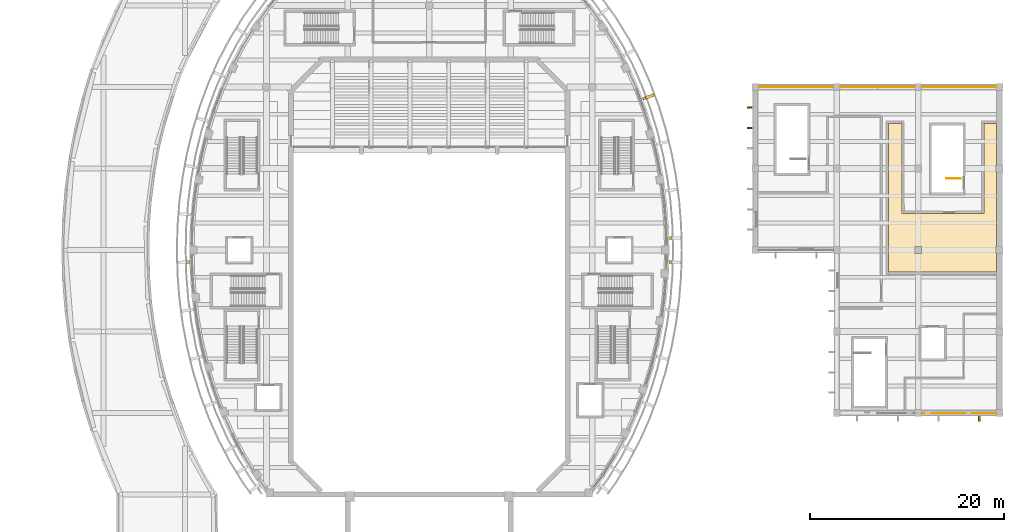
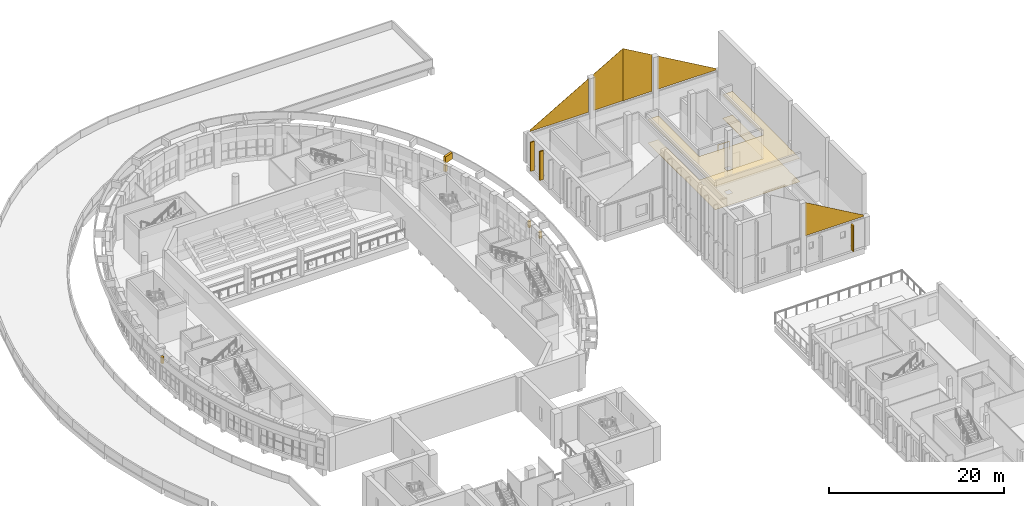
# One storey, part 79 of 79: 15 coverings, 1 railing.
"""IFC4 building model written with IfcOpenShell, lengths in metres."""

from ifc_helpers import new_model, si_unit, direction, frame, origin, origin_2d, place, context, subcontext, project, spatial, polyline, rectangle, circle, outline, extrude, material, layer, layer_set, type_object, element, save


model = new_model("IFC4")

# Units and contexts
model_context = context("Model", 3, precision=1e-05, world=origin(), true_north=direction((0.0, 1.0)))
body_context = subcontext(model_context, "Body", "Model", "MODEL_VIEW")
ifc_project = project(units=[si_unit("LENGTHUNIT", "METRE"), si_unit("AREAUNIT", "SQUARE_METRE"), si_unit("VOLUMEUNIT", "CUBIC_METRE"), si_unit("PLANEANGLEUNIT", "RADIAN"), si_unit("MASSUNIT", "GRAM", prefix="KILO")], contexts=[model_context])

# Site, building, storey
site_placement = place(None, origin())
site = spatial("IfcSite", under=ifc_project, at=site_placement, CompositionType="ELEMENT")
building_placement = place(site_placement, origin())
building = spatial("IfcBuilding", under=site, at=building_placement, Name="Larchfold Concert Hall", CompositionType="ELEMENT")
storey_placement = place(building_placement, frame((0.0, 0.0, 14.39990234375)))
storey = spatial("IfcBuildingStorey", under=building, at=storey_placement, Name="L03", CompositionType="ELEMENT", Elevation=14.39990234375)

# Coverings
ifc_material_1 = material(Name="Plasterboard ceiling lining")
ifc_layer_1 = layer(ifc_material_1, 0.030029296875)
ifc_layer_set_1 = layer_set([ifc_layer_1], Name="Plasterboard ceiling lining")
covering_type_1 = type_object("IfcCoveringType", Name="Ceiling suspended plasterboard 30", PredefinedType="CEILING", material=ifc_layer_set_1)
covering_1_placement = place(storey_placement, frame((0.0, 0.0, 3.270263671875)))
element("IfcCovering", 1, at=covering_1_placement, inside=storey, type_object=covering_type_1, Name="Ceiling Recording Room", PredefinedType="CEILING", context=body_context, shape_type="SweptSolid", body=[
    extrude(outline(polyline([(89.927001953125, 82.199951171875), (89.927001953125, 82.324951171875), (101.099853515625, 82.324951171875), (101.099853515625, 84.25), (101.0498046875, 84.25), (101.0498046875, 84.9501953125), (101.099853515625, 84.9501953125), (101.099853515625, 92.64990234375), (101.0498046875, 92.64990234375), (101.0498046875, 93.35009765625), (101.099853515625, 93.35009765625), (101.099853515625, 97.675048828125), (99.77392578125, 97.675048828125), (99.77392578125, 88.3759765625), (91.316162109375, 88.365966796875), (91.31298828125, 97.800048828125), (91.31298828125, 97.675048828125), (89.925048828125, 97.675048828125), (89.927001953125, 82.199951171875)]), holes=[polyline([(93.35009765625, 84.9501953125), (93.35009765625, 84.25), (92.64990234375, 84.25), (92.64990234375, 84.9501953125), (93.35009765625, 84.9501953125)])]), origin(), (0.0, 0.0, 1.0), 0.030029296875),
])
ifc_material_2 = material(Name="Linoleum sheet")
ifc_layer_2 = layer(ifc_material_2, 0.02001953125)
ifc_layer_set_2 = layer_set([ifc_layer_2], Name="Linoleum sheet")
covering_type_2 = type_object("IfcCoveringType", Name="Floor finish vinyl 20", PredefinedType="FLOORING", material=ifc_layer_set_2)
covering_2_placement = place(storey_placement, origin())
element("IfcCovering", 2, at=covering_2_placement, inside=storey, type_object=covering_type_2, Name="Floor finish Recording Room", PredefinedType="FLOORING", context=body_context, shape_type="SweptSolid", body=[
    extrude(outline(polyline([(89.927001953125, 82.199951171875), (89.927001953125, 82.324951171875), (101.099853515625, 82.324951171875), (101.099853515625, 84.25), (101.0498046875, 84.25), (101.0498046875, 84.9501953125), (101.099853515625, 84.9501953125), (101.099853515625, 92.64990234375), (101.0498046875, 92.64990234375), (101.0498046875, 93.35009765625), (101.099853515625, 93.35009765625), (101.099853515625, 97.675048828125), (99.77392578125, 97.675048828125), (99.77392578125, 88.3759765625), (91.316162109375, 88.365966796875), (91.31298828125, 97.800048828125), (91.31298828125, 97.675048828125), (89.925048828125, 97.675048828125), (89.927001953125, 82.199951171875)]), holes=[polyline([(93.35009765625, 84.9501953125), (93.35009765625, 84.25), (92.64990234375, 84.25), (92.64990234375, 84.9501953125), (93.35009765625, 84.9501953125)])]), origin(), (0.0, 0.0, 1.0), 0.02001953125),
])
ifc_material_3 = material(Name="Charred larch cladding", Category="timber")
ifc_layer_3 = layer(ifc_material_3, 0.030029296875)
ifc_layer_set_3 = layer_set([ifc_layer_3], Name="Charred larch cladding")
covering_type_3 = type_object("IfcCoveringType", Name="Gable closure panel 30", PredefinedType="CLADDING", material=ifc_layer_set_3)
covering_3_placement = place(storey_placement, frame((84.25, 101.429931640625, 4.0146484375), z_axis=(0.0, 1.0, 0.0), x_axis=(-1.0, 0.0, 0.0)))
element("IfcCovering", 3, at=covering_3_placement, inside=storey, type_object=covering_type_3, Name="Gable closure panel RG001", PredefinedType="CLADDING", context=body_context, shape_type="SweptSolid", body=[
    extrude(outline(polyline([(0.0, 0.0), (7.699951171875, 0.0), (7.699951171875, 0.212158203125), (0.0, 4.65771484375), (0.0, 0.0)])), origin(), (0.0, 0.0, -1.0), 0.030029296875),
])
covering_4_placement = place(storey_placement, frame((92.64990234375, 101.429931640625, 4.0146484375), z_axis=(0.0, 1.0, 0.0), x_axis=(-1.0, 0.0, 0.0)))
element("IfcCovering", 4, at=covering_4_placement, inside=storey, type_object=covering_type_3, Name="Gable closure panel RG002", PredefinedType="CLADDING", context=body_context, shape_type="SweptSolid", body=[
    extrude(outline(polyline([(0.0, 0.0), (3.849853515625, 0.0), (3.849853515625, 7.28466796875), (0.0, 5.061767578125), (0.0, 0.0)])), origin(), (0.0, 0.0, -1.0), 0.030029296875),
])
covering_5_placement = place(storey_placement, frame((88.800048828125, 101.429931640625, 4.0146484375), z_axis=(0.0, 1.0, 0.0), x_axis=(-1.0, 0.0, 0.0)))
element("IfcCovering", 5, at=covering_5_placement, inside=storey, type_object=covering_type_3, Name="Gable closure panel RG003", PredefinedType="CLADDING", context=body_context, shape_type="SweptSolid", body=[
    extrude(outline(polyline([(0.0, 0.0), (3.849853515625, 0.0), (3.849853515625, 5.06201171875), (0.0, 7.28466796875), (0.0, 0.0)])), origin(), (0.0, 0.0, -1.0), 0.030029296875),
])
covering_6_placement = place(storey_placement, frame((101.0498046875, 101.429931640625, 4.0146484375), z_axis=(0.0, 1.0, 0.0), x_axis=(-1.0, 0.0, 0.0)))
element("IfcCovering", 6, at=covering_6_placement, inside=storey, type_object=covering_type_3, Name="Gable closure panel RG004", PredefinedType="CLADDING", context=body_context, shape_type="SweptSolid", body=[
    extrude(outline(polyline([(0.0, 0.0), (7.69970703125, 0.0), (7.69970703125, 4.657470703125), (0.0, 0.212158203125), (0.0, 0.0)])), origin(), (0.0, 0.0, -1.0), 0.030029296875),
])
covering_7_placement = place(storey_placement, frame((93.35009765625, 67.77001953125, 4.0146484375), z_axis=(0.0, -1.0, 0.0), x_axis=(1.0, 0.0, 0.0)))
element("IfcCovering", 7, at=covering_7_placement, inside=storey, type_object=covering_type_3, Name="Gable closure panel RG009", PredefinedType="CLADDING", context=body_context, shape_type="SweptSolid", body=[
    extrude(outline(polyline([(0.0, 0.0), (7.69970703125, 0.0), (7.69970703125, 0.212158203125), (0.0, 4.657470703125), (0.0, 0.0)])), origin(), (0.0, 0.0, -1.0), 0.030029296875),
])
ifc_material_4 = material(Name="Glulam GL30c", Category="wood")
ifc_layer_4 = layer(ifc_material_4, 0.159912109375)
ifc_layer_set_4 = layer_set([ifc_layer_4], Name="Glulam GL30c")
covering_type_4 = type_object("IfcCoveringType", Name="Glulam fin 160x500", PredefinedType="CLADDING", material=ifc_layer_set_4)
covering_8_placement = place(storey_placement, frame((0.0, 0.0, 0.199951171875)))
element("IfcCovering", 8, at=covering_8_placement, inside=storey, type_object=covering_type_4, Name="Glulam fin FN-L03-027", PredefinedType="CLADDING", context=body_context, shape_type="SweptSolid", body=[
    extrude(outline(polyline([(75.875, 97.1201171875), (75.875, 97.280029296875), (75.375, 97.280029296875), (75.375, 97.1201171875), (75.875, 97.1201171875)])), origin(), (0.0, 0.0, 1.0), 4.024658203125),
])
covering_9_placement = place(storey_placement, frame((0.0, 0.0, 0.199951171875)))
element("IfcCovering", 9, at=covering_9_placement, inside=storey, type_object=covering_type_4, Name="Glulam fin FN-L03-028", PredefinedType="CLADDING", context=body_context, shape_type="SweptSolid", body=[
    extrude(outline(polyline([(75.875, 99.219970703125), (75.875, 99.3798828125), (75.375, 99.3798828125), (75.375, 99.219970703125), (75.875, 99.219970703125)])), origin(), (0.0, 0.0, 1.0), 4.024658203125),
])
covering_10_placement = place(storey_placement, frame((0.0, 0.0, 0.199951171875)))
element("IfcCovering", 10, at=covering_10_placement, inside=storey, type_object=covering_type_4, Name="Glulam fin FN-L03-043", PredefinedType="CLADDING", context=body_context, shape_type="SweptSolid", body=[
    extrude(outline(polyline([(99.3798828125, 66.97509765625), (99.3798828125, 67.47509765625), (99.219970703125, 67.47509765625), (99.219970703125, 66.97509765625), (99.3798828125, 66.97509765625)])), origin(), (0.0, 0.0, 1.0), 3.60009765625),
])
ifc_material_5 = material(Name="Galvanised steel bracket", Category="steel")
ifc_layer_5 = layer(ifc_material_5, 0.300048828125)
ifc_layer_set_5 = layer_set([ifc_layer_5], Name="Galvanised steel bracket")
covering_type_5 = type_object("IfcCoveringType", Name="Ring support bracket", PredefinedType="CLADDING", material=ifc_layer_set_5)
for number, where, z_axis, x_axis, name in (
    (11, (67.468505859375, 85.826904296875, 3.35009765625), (0.0, 0.0, 1.0), (0.999668605926, 0.025742539211, 0.0), "Ring bracket BR-R06-01"),
    (12, (64.760986328125, 100.240478515625, 3.35009765625), (0.0, 0.0, 1.0), (0.938034660892, 0.346541447688, 0.0), "Ring bracket BR-R06-04"),
    (13, (17.73193359375, 83.36572265625, 3.35009765625), (0.0, 0.0, 1.0), (-0.999665014874, -0.025881615792, 0.0), "Ring bracket BR-R06-20"),
    (14, (67.46826171875, 83.36572265625, 3.35009765625), (0.0, 0.0, 1.0), (0.999665014874, -0.025881615792, 0.0), "Ring bracket BR-R06-33"),
):
    element("IfcCovering", number, at=place(storey_placement, frame(where, z_axis=z_axis, x_axis=x_axis)), inside=storey, type_object=covering_type_5, Name=name, PredefinedType="CLADDING", context=body_context, shape_type="SweptSolid", body=[
        extrude(rectangle(XDim=0.300048828125, YDim=0.300048828125, at=origin_2d()), origin(), (0.0, 0.0, 1.0), 0.89990234375),
    ])
covering_11_placement = place(storey_placement, frame((65.18310546875, 100.396484375, 4.550048828125), z_axis=(0.0, 0.0, 1.0), x_axis=(0.938034660892, 0.346541447688, 0.0)))
element("IfcCovering", 15, at=covering_11_placement, inside=storey, type_object=covering_type_5, Name="Ring bracket BR-R07-04", PredefinedType="CLADDING", context=body_context, shape_type="SweptSolid", body=[
    extrude(rectangle(XDim=1.199951171875, YDim=0.300048828125, at=origin_2d()), origin(), (0.0, 0.0, 1.0), 0.89990234375),
])

# Railing
ifc_material_6 = material(Name="Stainless steel balustrade", Category="steel")
railing_type = type_object("IfcRailingType", Name="Stair guard 1100", PredefinedType="GUARDRAIL", material=ifc_material_6)
railing_placement = place(storey_placement, frame((97.375, 92.0, 0.0)))
element("IfcRailing", 16, at=railing_placement, inside=storey, type_object=railing_type, Name="Guard GR0067", PredefinedType="GUARDRAIL", context=body_context, shape_type="SweptSolid", body=[
    extrude(circle(Radius=0.02392578125, at=origin_2d()), frame((0.0, 0.0, 1.076171875), z_axis=(-1.0, 0.0, 0.0), x_axis=(0.0, -1.0, 0.0)), (0.0, 0.0, 1.0), 1.474853515625),
    extrude(circle(Radius=0.02099609375, at=origin_2d()), origin(), (0.0, 0.0, 1.0), 1.052001953125),
    extrude(circle(Radius=0.02099609375, at=origin_2d()), frame((-0.7373046875, 0.0, 0.0)), (0.0, 0.0, 1.0), 1.052001953125),
    extrude(circle(Radius=0.02099609375, at=origin_2d()), frame((-1.474853515625, 0.0, 0.0)), (0.0, 0.0, 1.0), 1.052001953125),
])

save(model, "model.ifc")
